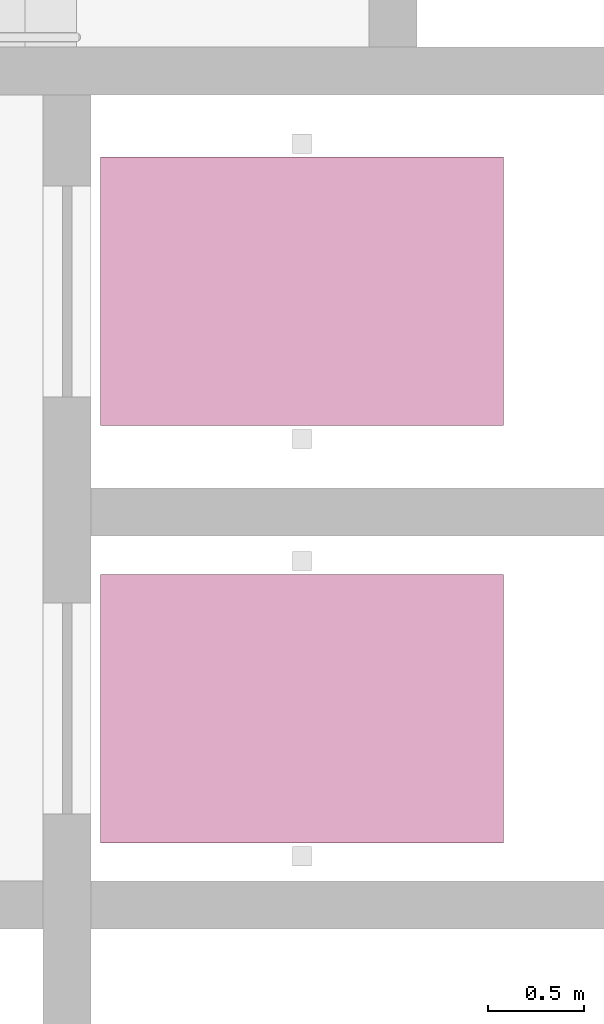
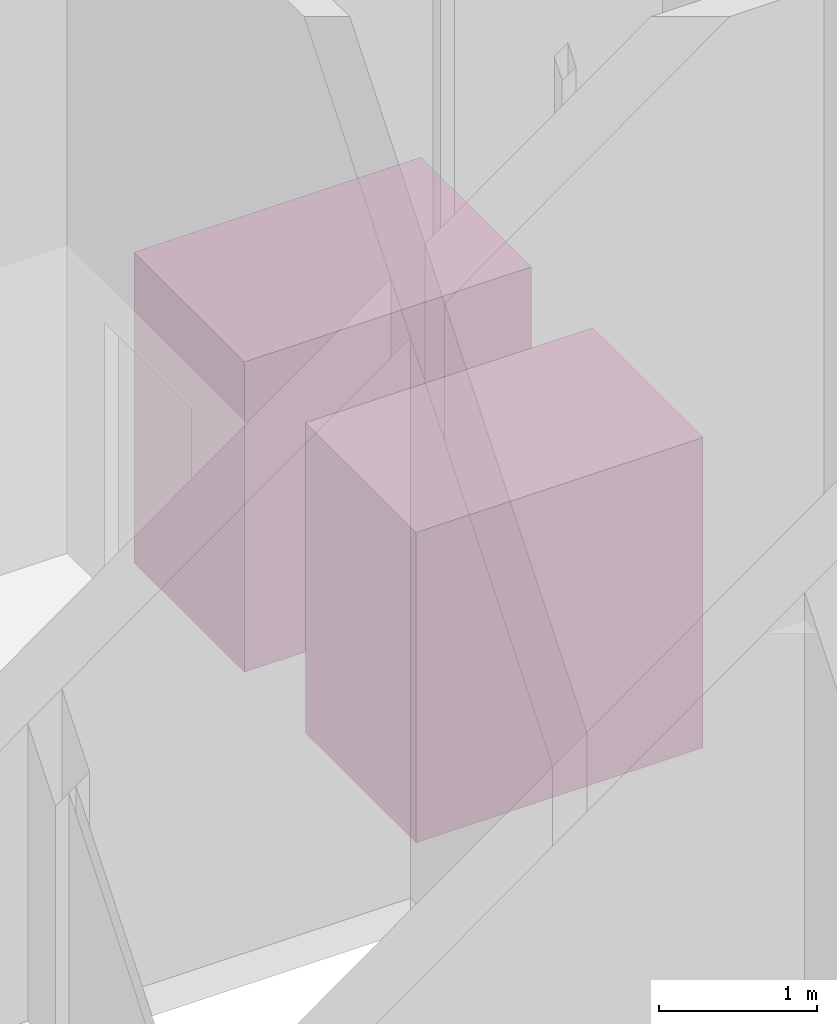
# One storey, part 22 of 22: 2 transport elements.
"""IFC4 building model written with IfcOpenShell, lengths in metres."""

from ifc_helpers import new_model, si_unit, direction, frame, origin, origin_2d, place, context, subcontext, project, spatial, rectangle, extrude, material, type_object, element, save


model = new_model("IFC4")

# Units and contexts
model_context = context("Model", 3, precision=1e-05, world=origin(), true_north=direction((0.0, 1.0)))
body_context = subcontext(model_context, "Body", "Model", "MODEL_VIEW")
ifc_project = project(units=[si_unit("LENGTHUNIT", "METRE"), si_unit("AREAUNIT", "SQUARE_METRE"), si_unit("VOLUMEUNIT", "CUBIC_METRE"), si_unit("PLANEANGLEUNIT", "RADIAN"), si_unit("MASSUNIT", "GRAM", prefix="KILO")], contexts=[model_context])

# Site, building, storey
site_placement = place(None, origin())
site = spatial("IfcSite", under=ifc_project, at=site_placement, CompositionType="ELEMENT")
building_placement = place(site_placement, origin())
building = spatial("IfcBuilding", under=site, at=building_placement, Name="Msasa Ring Tower", CompositionType="ELEMENT")
storey_placement = place(building_placement, frame((0.0, 0.0, 112.39990234375)))
storey = spatial("IfcBuildingStorey", under=building, at=storey_placement, Name="L29", CompositionType="ELEMENT", Elevation=112.39990234375)

# Transport elements
ifc_material = material(Name="Stainless steel lift car", Category="steel")
transport_element_type = type_object("IfcTransportElementType", Name="PLH HOTEL GUEST LIFT CAR 1400x2100 1275 KG", PredefinedType="ELEVATOR", material=ifc_material)
for number, where, z_axis, x_axis, name in (
    (1, (16.02490234375, -0.125, 0.050048828125), (0.0, 0.0, 1.0), (1.0, 0.0, 0.0), "Hotel guest lift PL-H1"),
    (2, (16.02490234375, 2.050048828125, 0.050048828125), (0.0, 0.0, 1.0), (1.0, 0.0, 0.0), "Hotel guest lift PL-H2"),
):
    element("IfcTransportElement", number, at=place(storey_placement, frame(where, z_axis=z_axis, x_axis=x_axis)), inside=storey, type_object=transport_element_type, Name=name, PredefinedType="ELEVATOR", context=body_context, shape_type="SweptSolid", body=[
        extrude(rectangle(XDim=2.10009765625, YDim=1.39990234375, at=origin_2d()), origin(), (0.0, 0.0, 1.0), 2.39990234375),
    ])

save(model, "model.ifc")
